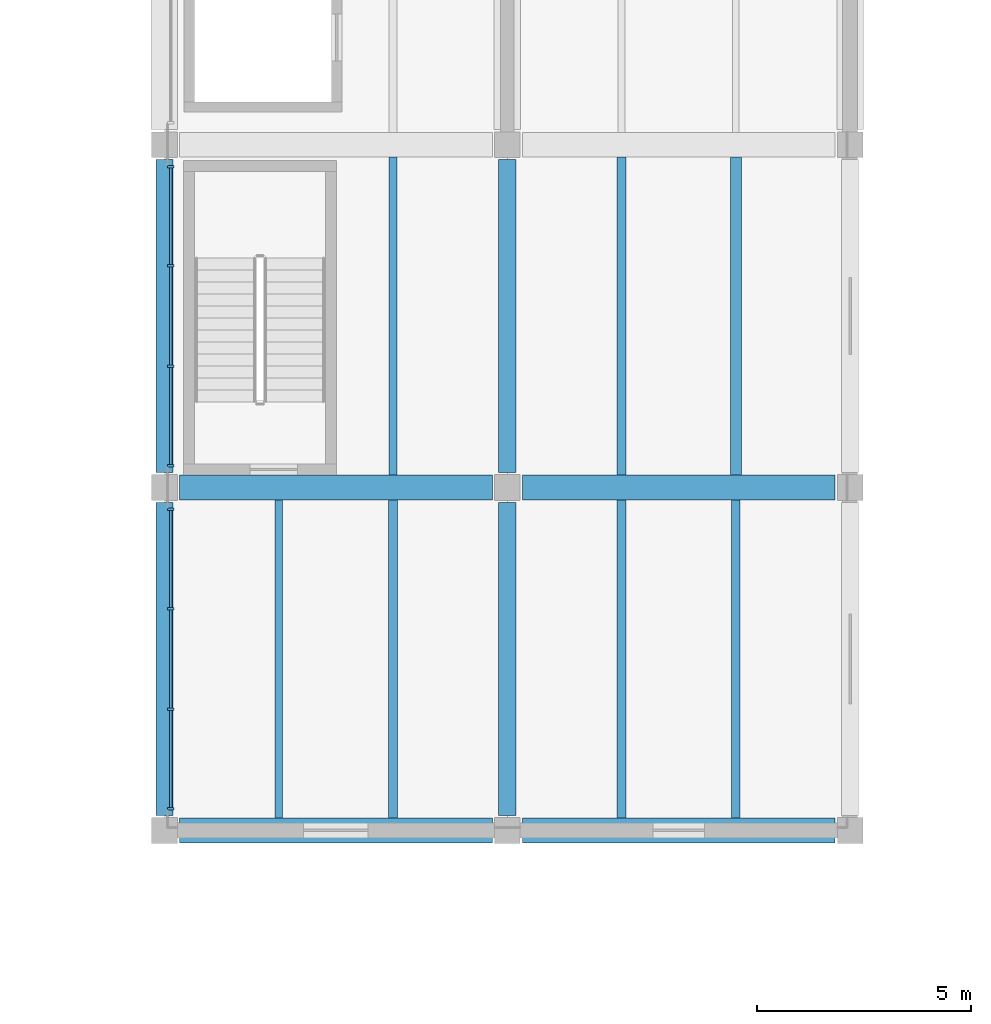
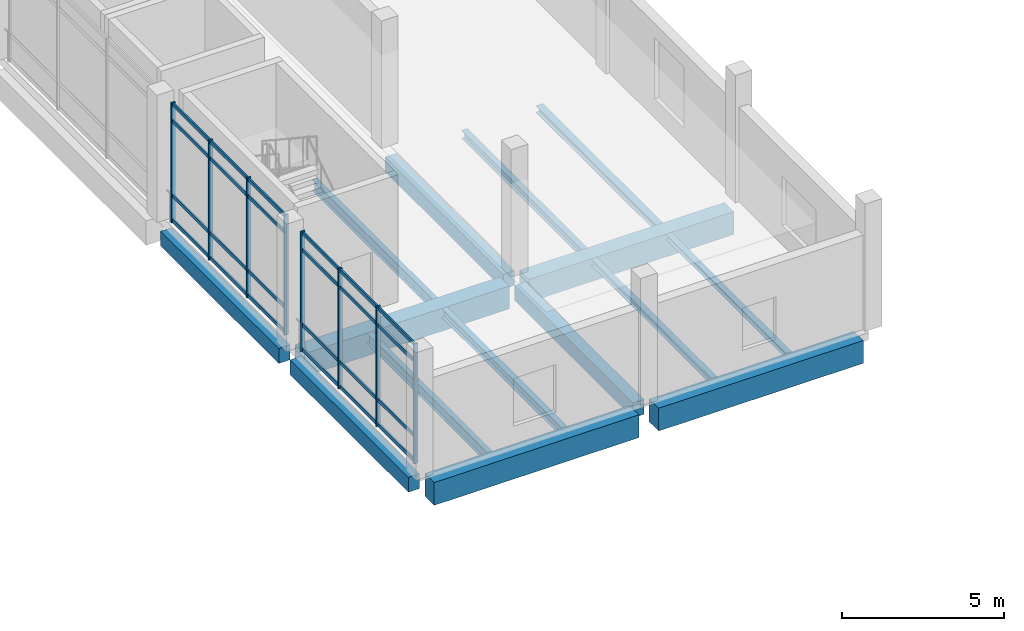
# One storey, part 8 of 47: 32 members, 15 beams, 2 elements without a shape of their own.
"""IFC4 building model written with IfcOpenShell, lengths in metres."""

from ifc_helpers import new_model, si_unit, direction, frame, origin, origin_2d, place, context, subcontext, project, spatial, rectangle, i_section, extrude, material, material_profile, profile_set, type_object, element, aggregate, save


model = new_model("IFC4")

# Units and contexts
model_context = context("Model", 3, precision=1e-05, world=origin(), true_north=direction((0.0, 1.0)))
body_context = subcontext(model_context, "Body", "Model", "MODEL_VIEW")
ifc_project = project(units=[si_unit("LENGTHUNIT", "METRE"), si_unit("AREAUNIT", "SQUARE_METRE"), si_unit("VOLUMEUNIT", "CUBIC_METRE"), si_unit("PLANEANGLEUNIT", "RADIAN"), si_unit("MASSUNIT", "GRAM", prefix="KILO")], contexts=[model_context])

# Site, building, storey
site_placement = place(None, origin())
site = spatial("IfcSite", under=ifc_project, at=site_placement, CompositionType="ELEMENT")
building_placement = place(site_placement, origin())
building = spatial("IfcBuilding", under=site, at=building_placement, Name="Pecanmere Concourse Central Library", CompositionType="ELEMENT")
storey_placement = place(building_placement, frame((0.0, 0.0, 15.300048828125)))
storey = spatial("IfcBuildingStorey", under=building, at=storey_placement, Name="L04", CompositionType="ELEMENT", Elevation=15.300048828125)

# Beams
ifc_material_1 = material(Name="Concrete C40/50", Category="concrete")
ifc_material_profile_1 = material_profile(ifc_material_1, rectangle(XDim=0.39990234375, YDim=0.56005859375, at=origin_2d()), Name="RC 400x560")
ifc_profile_set_1 = profile_set([ifc_material_profile_1], Name="Concrete C40/50")
beam_type_1 = type_object("IfcBeamType", Name="BM_400x560", PredefinedType="BEAM", material=ifc_profile_set_1)
for number, where, z_axis, x_axis, name in (
    (1, (112.0, 48.35009765625, -0.60009765625), (0.0, 1.0, 0.0), (-1.0, 0.0, 0.0), "Primary Girder Y L04-2289"),
    (2, (112.0, 56.35009765625, -0.60009765625), (0.0, 1.0, 0.0), (-1.0, 0.0, 0.0), "Primary Girder Y L04-2290"),
    (3, (120.0, 48.35009765625, -0.60009765625), (0.0, 1.0, 0.0), (-1.0, 0.0, 0.0), "Primary Girder Y L04-2296"),
    (4, (120.0, 56.35009765625, -0.60009765625), (0.0, 1.0, 0.0), (-1.0, 0.0, 0.0), "Primary Girder Y L04-2297"),
):
    element("IfcBeam", number, at=place(storey_placement, frame(where, z_axis=z_axis, x_axis=x_axis)), inside=storey, type_object=beam_type_1, Name=name, PredefinedType="BEAM", context=body_context, shape_type="SweptSolid", body=[
        extrude(rectangle(XDim=0.39990234375, YDim=0.56005859375, at=origin_2d()), origin(), (0.0, 0.0, 1.0), 7.2998046875),
    ])

# Curtain wall, members
ifc_material_2 = material(Name="Clear anodized aluminium alloy 6063-T6", Category="aluminium")
curtain_wall_type = type_object("IfcCurtainWallType", Name="CW_CLOISTER_GLAZ", PredefinedType="USERDEFINED", material=ifc_material_2)
curtain_wall_1_placement = place(storey_placement, origin())
curtain_wall_1 = element("IfcCurtainWall", 5, at=curtain_wall_1_placement, inside=storey, type_object=curtain_wall_type, Name="Unitised Curtain Wall CW-04 L04-139", ObjectType="UNITISED CURTAIN WALL", PredefinedType="USERDEFINED")
ifc_material_3 = material(Name="Clear anodized aluminium alloy 6063-T6", Category="aluminium")
ifc_material_profile_2 = material_profile(ifc_material_3, rectangle(XDim=0.06005859375, YDim=0.14990234375, at=origin_2d()), Name="AL 60x150")
ifc_profile_set_2 = profile_set([ifc_material_profile_2], Name="Clear anodized aluminium alloy 6063-T6")
member_type_1 = type_object("IfcMemberType", Name="CWM_150x60", PredefinedType="MULLION", material=ifc_profile_set_2)
member_1_placement = place(storey_placement, frame((112.14990234375, 55.489990234375, 0.0), z_axis=(0.0, 0.0, 1.0), x_axis=(0.0, -1.0, 0.0)))
member_1 = element("IfcMember", 6, at=member_1_placement, type_object=member_type_1, Name="CW-04 Mullion 1", PredefinedType="MULLION", context=body_context, shape_type="SweptSolid", body=[
    extrude(rectangle(XDim=0.06005859375, YDim=0.14990234375, at=origin_2d()), origin(), (0.0, 0.0, 1.0), 4.52001953125),
])
member_2_placement = place(storey_placement, frame((112.14990234375, 53.17333984375, 0.0), z_axis=(0.0, 0.0, 1.0), x_axis=(0.0, -1.0, 0.0)))
member_2 = element("IfcMember", 7, at=member_2_placement, type_object=member_type_1, Name="CW-04 Mullion 2", PredefinedType="MULLION", context=body_context, shape_type="SweptSolid", body=[
    extrude(rectangle(XDim=0.06005859375, YDim=0.14990234375, at=origin_2d()), origin(), (0.0, 0.0, 1.0), 4.52001953125),
])
member_3_placement = place(storey_placement, frame((112.14990234375, 50.82666015625, 0.0), z_axis=(0.0, 0.0, 1.0), x_axis=(0.0, -1.0, 0.0)))
member_3 = element("IfcMember", 8, at=member_3_placement, type_object=member_type_1, Name="CW-04 Mullion 3", PredefinedType="MULLION", context=body_context, shape_type="SweptSolid", body=[
    extrude(rectangle(XDim=0.06005859375, YDim=0.14990234375, at=origin_2d()), origin(), (0.0, 0.0, 1.0), 4.52001953125),
])
member_4_placement = place(storey_placement, frame((112.14990234375, 48.510009765625, 0.0), z_axis=(0.0, 0.0, 1.0), x_axis=(0.0, -1.0, 0.0)))
member_4 = element("IfcMember", 9, at=member_4_placement, type_object=member_type_1, Name="CW-04 Mullion 4", PredefinedType="MULLION", context=body_context, shape_type="SweptSolid", body=[
    extrude(rectangle(XDim=0.06005859375, YDim=0.14990234375, at=origin_2d()), origin(), (0.0, 0.0, 1.0), 4.52001953125),
])

curtain_wall_2_placement = place(storey_placement, origin())
curtain_wall_2 = element("IfcCurtainWall", 10, at=curtain_wall_2_placement, inside=storey, type_object=curtain_wall_type, Name="Unitised Curtain Wall CW-04 L04-141", ObjectType="UNITISED CURTAIN WALL", PredefinedType="USERDEFINED")
member_5_placement = place(storey_placement, frame((112.14990234375, 63.489990234375, 0.0), z_axis=(0.0, 0.0, 1.0), x_axis=(0.0, -1.0, 0.0)))
member_5 = element("IfcMember", 11, at=member_5_placement, type_object=member_type_1, Name="CW-04 Mullion 1", PredefinedType="MULLION", context=body_context, shape_type="SweptSolid", body=[
    extrude(rectangle(XDim=0.06005859375, YDim=0.14990234375, at=origin_2d()), origin(), (0.0, 0.0, 1.0), 4.52001953125),
])
member_6_placement = place(storey_placement, frame((112.14990234375, 61.17333984375, 0.0), z_axis=(0.0, 0.0, 1.0), x_axis=(0.0, -1.0, 0.0)))
member_6 = element("IfcMember", 12, at=member_6_placement, type_object=member_type_1, Name="CW-04 Mullion 2", PredefinedType="MULLION", context=body_context, shape_type="SweptSolid", body=[
    extrude(rectangle(XDim=0.06005859375, YDim=0.14990234375, at=origin_2d()), origin(), (0.0, 0.0, 1.0), 4.52001953125),
])
member_7_placement = place(storey_placement, frame((112.14990234375, 58.82666015625, 0.0), z_axis=(0.0, 0.0, 1.0), x_axis=(0.0, -1.0, 0.0)))
member_7 = element("IfcMember", 13, at=member_7_placement, type_object=member_type_1, Name="CW-04 Mullion 3", PredefinedType="MULLION", context=body_context, shape_type="SweptSolid", body=[
    extrude(rectangle(XDim=0.06005859375, YDim=0.14990234375, at=origin_2d()), origin(), (0.0, 0.0, 1.0), 4.52001953125),
])
member_8_placement = place(storey_placement, frame((112.14990234375, 56.510009765625, 0.0), z_axis=(0.0, 0.0, 1.0), x_axis=(0.0, -1.0, 0.0)))
member_8 = element("IfcMember", 14, at=member_8_placement, type_object=member_type_1, Name="CW-04 Mullion 4", PredefinedType="MULLION", context=body_context, shape_type="SweptSolid", body=[
    extrude(rectangle(XDim=0.06005859375, YDim=0.14990234375, at=origin_2d()), origin(), (0.0, 0.0, 1.0), 4.52001953125),
])

# Member
ifc_material_4 = material(Name="Clear anodized aluminium alloy 6063-T6", Category="aluminium")
ifc_material_profile_3 = material_profile(ifc_material_4, rectangle(XDim=0.054931640625, YDim=0.139892578125, at=origin_2d()), Name="AL 55x140")
ifc_profile_set_3 = profile_set([ifc_material_profile_3], Name="Clear anodized aluminium alloy 6063-T6")
member_type_2 = type_object("IfcMemberType", Name="CWT_140x55", PredefinedType="USERDEFINED", material=ifc_profile_set_3)
member_9_placement = place(storey_placement, frame((112.14990234375, 55.4599609375, 0.070068359375), z_axis=(0.0, -1.0, 0.0), x_axis=(1.0, 0.0, 0.0)))
member_9 = element("IfcMember", 15, at=member_9_placement, type_object=member_type_2, Name="CW-04 Transom 1.1", ObjectType="TRANSOM", PredefinedType="USERDEFINED", context=body_context, shape_type="SweptSolid", body=[
    extrude(rectangle(XDim=0.054931640625, YDim=0.139892578125, at=origin_2d()), origin(), (0.0, 0.0, 1.0), 2.256591796875),
])

member_10_placement = place(storey_placement, frame((112.14990234375, 55.4599609375, 1.0), z_axis=(0.0, -1.0, 0.0), x_axis=(1.0, 0.0, 0.0)))
member_10 = element("IfcMember", 16, at=member_10_placement, type_object=member_type_2, Name="CW-04 Transom 1.2", ObjectType="TRANSOM", PredefinedType="USERDEFINED", context=body_context, shape_type="SweptSolid", body=[
    extrude(rectangle(XDim=0.054931640625, YDim=0.139892578125, at=origin_2d()), origin(), (0.0, 0.0, 1.0), 2.256591796875),
])

member_11_placement = place(storey_placement, frame((112.14990234375, 55.4599609375, 3.820068359375), z_axis=(0.0, -1.0, 0.0), x_axis=(1.0, 0.0, 0.0)))
member_11 = element("IfcMember", 17, at=member_11_placement, type_object=member_type_2, Name="CW-04 Transom 1.3", ObjectType="TRANSOM", PredefinedType="USERDEFINED", context=body_context, shape_type="SweptSolid", body=[
    extrude(rectangle(XDim=0.054931640625, YDim=0.139892578125, at=origin_2d()), origin(), (0.0, 0.0, 1.0), 2.256591796875),
])

member_12_placement = place(storey_placement, frame((112.14990234375, 55.4599609375, 4.449951171875), z_axis=(0.0, -1.0, 0.0), x_axis=(1.0, 0.0, 0.0)))
member_12 = element("IfcMember", 18, at=member_12_placement, type_object=member_type_2, Name="CW-04 Transom 1.4", ObjectType="TRANSOM", PredefinedType="USERDEFINED", context=body_context, shape_type="SweptSolid", body=[
    extrude(rectangle(XDim=0.054931640625, YDim=0.139892578125, at=origin_2d()), origin(), (0.0, 0.0, 1.0), 2.256591796875),
])

member_13_placement = place(storey_placement, frame((112.14990234375, 53.143310546875, 0.070068359375), z_axis=(0.0, -1.0, 0.0), x_axis=(1.0, 0.0, 0.0)))
member_13 = element("IfcMember", 19, at=member_13_placement, type_object=member_type_2, Name="CW-04 Transom 2.1", ObjectType="TRANSOM", PredefinedType="USERDEFINED", context=body_context, shape_type="SweptSolid", body=[
    extrude(rectangle(XDim=0.054931640625, YDim=0.139892578125, at=origin_2d()), origin(), (0.0, 0.0, 1.0), 2.28662109375),
])

member_14_placement = place(storey_placement, frame((112.14990234375, 53.143310546875, 1.0), z_axis=(0.0, -1.0, 0.0), x_axis=(1.0, 0.0, 0.0)))
member_14 = element("IfcMember", 20, at=member_14_placement, type_object=member_type_2, Name="CW-04 Transom 2.2", ObjectType="TRANSOM", PredefinedType="USERDEFINED", context=body_context, shape_type="SweptSolid", body=[
    extrude(rectangle(XDim=0.054931640625, YDim=0.139892578125, at=origin_2d()), origin(), (0.0, 0.0, 1.0), 2.28662109375),
])

member_15_placement = place(storey_placement, frame((112.14990234375, 53.143310546875, 3.820068359375), z_axis=(0.0, -1.0, 0.0), x_axis=(1.0, 0.0, 0.0)))
member_15 = element("IfcMember", 21, at=member_15_placement, type_object=member_type_2, Name="CW-04 Transom 2.3", ObjectType="TRANSOM", PredefinedType="USERDEFINED", context=body_context, shape_type="SweptSolid", body=[
    extrude(rectangle(XDim=0.054931640625, YDim=0.139892578125, at=origin_2d()), origin(), (0.0, 0.0, 1.0), 2.28662109375),
])

member_16_placement = place(storey_placement, frame((112.14990234375, 53.143310546875, 4.449951171875), z_axis=(0.0, -1.0, 0.0), x_axis=(1.0, 0.0, 0.0)))
member_16 = element("IfcMember", 22, at=member_16_placement, type_object=member_type_2, Name="CW-04 Transom 2.4", ObjectType="TRANSOM", PredefinedType="USERDEFINED", context=body_context, shape_type="SweptSolid", body=[
    extrude(rectangle(XDim=0.054931640625, YDim=0.139892578125, at=origin_2d()), origin(), (0.0, 0.0, 1.0), 2.28662109375),
])

member_17_placement = place(storey_placement, frame((112.14990234375, 50.796630859375, 0.070068359375), z_axis=(0.0, -1.0, 0.0), x_axis=(1.0, 0.0, 0.0)))
member_17 = element("IfcMember", 23, at=member_17_placement, type_object=member_type_2, Name="CW-04 Transom 3.1", ObjectType="TRANSOM", PredefinedType="USERDEFINED", context=body_context, shape_type="SweptSolid", body=[
    extrude(rectangle(XDim=0.054931640625, YDim=0.139892578125, at=origin_2d()), origin(), (0.0, 0.0, 1.0), 2.256591796875),
])

member_18_placement = place(storey_placement, frame((112.14990234375, 50.796630859375, 1.0), z_axis=(0.0, -1.0, 0.0), x_axis=(1.0, 0.0, 0.0)))
member_18 = element("IfcMember", 24, at=member_18_placement, type_object=member_type_2, Name="CW-04 Transom 3.2", ObjectType="TRANSOM", PredefinedType="USERDEFINED", context=body_context, shape_type="SweptSolid", body=[
    extrude(rectangle(XDim=0.054931640625, YDim=0.139892578125, at=origin_2d()), origin(), (0.0, 0.0, 1.0), 2.256591796875),
])

member_19_placement = place(storey_placement, frame((112.14990234375, 50.796630859375, 3.820068359375), z_axis=(0.0, -1.0, 0.0), x_axis=(1.0, 0.0, 0.0)))
member_19 = element("IfcMember", 25, at=member_19_placement, type_object=member_type_2, Name="CW-04 Transom 3.3", ObjectType="TRANSOM", PredefinedType="USERDEFINED", context=body_context, shape_type="SweptSolid", body=[
    extrude(rectangle(XDim=0.054931640625, YDim=0.139892578125, at=origin_2d()), origin(), (0.0, 0.0, 1.0), 2.256591796875),
])

member_20_placement = place(storey_placement, frame((112.14990234375, 50.796630859375, 4.449951171875), z_axis=(0.0, -1.0, 0.0), x_axis=(1.0, 0.0, 0.0)))
member_20 = element("IfcMember", 26, at=member_20_placement, type_object=member_type_2, Name="CW-04 Transom 3.4", ObjectType="TRANSOM", PredefinedType="USERDEFINED", context=body_context, shape_type="SweptSolid", body=[
    extrude(rectangle(XDim=0.054931640625, YDim=0.139892578125, at=origin_2d()), origin(), (0.0, 0.0, 1.0), 2.256591796875),
])

aggregate(curtain_wall_1, [member_1, member_2, member_3, member_4, member_9, member_10, member_11, member_12, member_13, member_14, member_15, member_16, member_17, member_18, member_19, member_20])

member_21_placement = place(storey_placement, frame((112.14990234375, 63.4599609375, 0.070068359375), z_axis=(0.0, -1.0, 0.0), x_axis=(1.0, 0.0, 0.0)))
member_21 = element("IfcMember", 27, at=member_21_placement, type_object=member_type_2, Name="CW-04 Transom 1.1", ObjectType="TRANSOM", PredefinedType="USERDEFINED", context=body_context, shape_type="SweptSolid", body=[
    extrude(rectangle(XDim=0.054931640625, YDim=0.139892578125, at=origin_2d()), origin(), (0.0, 0.0, 1.0), 2.256591796875),
])

member_22_placement = place(storey_placement, frame((112.14990234375, 63.4599609375, 1.0), z_axis=(0.0, -1.0, 0.0), x_axis=(1.0, 0.0, 0.0)))
member_22 = element("IfcMember", 28, at=member_22_placement, type_object=member_type_2, Name="CW-04 Transom 1.2", ObjectType="TRANSOM", PredefinedType="USERDEFINED", context=body_context, shape_type="SweptSolid", body=[
    extrude(rectangle(XDim=0.054931640625, YDim=0.139892578125, at=origin_2d()), origin(), (0.0, 0.0, 1.0), 2.256591796875),
])

member_23_placement = place(storey_placement, frame((112.14990234375, 63.4599609375, 3.820068359375), z_axis=(0.0, -1.0, 0.0), x_axis=(1.0, 0.0, 0.0)))
member_23 = element("IfcMember", 29, at=member_23_placement, type_object=member_type_2, Name="CW-04 Transom 1.3", ObjectType="TRANSOM", PredefinedType="USERDEFINED", context=body_context, shape_type="SweptSolid", body=[
    extrude(rectangle(XDim=0.054931640625, YDim=0.139892578125, at=origin_2d()), origin(), (0.0, 0.0, 1.0), 2.256591796875),
])

member_24_placement = place(storey_placement, frame((112.14990234375, 63.4599609375, 4.449951171875), z_axis=(0.0, -1.0, 0.0), x_axis=(1.0, 0.0, 0.0)))
member_24 = element("IfcMember", 30, at=member_24_placement, type_object=member_type_2, Name="CW-04 Transom 1.4", ObjectType="TRANSOM", PredefinedType="USERDEFINED", context=body_context, shape_type="SweptSolid", body=[
    extrude(rectangle(XDim=0.054931640625, YDim=0.139892578125, at=origin_2d()), origin(), (0.0, 0.0, 1.0), 2.256591796875),
])

member_25_placement = place(storey_placement, frame((112.14990234375, 61.143310546875, 0.070068359375), z_axis=(0.0, -1.0, 0.0), x_axis=(1.0, 0.0, 0.0)))
member_25 = element("IfcMember", 31, at=member_25_placement, type_object=member_type_2, Name="CW-04 Transom 2.1", ObjectType="TRANSOM", PredefinedType="USERDEFINED", context=body_context, shape_type="SweptSolid", body=[
    extrude(rectangle(XDim=0.054931640625, YDim=0.139892578125, at=origin_2d()), origin(), (0.0, 0.0, 1.0), 2.28662109375),
])

member_26_placement = place(storey_placement, frame((112.14990234375, 61.143310546875, 1.0), z_axis=(0.0, -1.0, 0.0), x_axis=(1.0, 0.0, 0.0)))
member_26 = element("IfcMember", 32, at=member_26_placement, type_object=member_type_2, Name="CW-04 Transom 2.2", ObjectType="TRANSOM", PredefinedType="USERDEFINED", context=body_context, shape_type="SweptSolid", body=[
    extrude(rectangle(XDim=0.054931640625, YDim=0.139892578125, at=origin_2d()), origin(), (0.0, 0.0, 1.0), 2.28662109375),
])

member_27_placement = place(storey_placement, frame((112.14990234375, 61.143310546875, 3.820068359375), z_axis=(0.0, -1.0, 0.0), x_axis=(1.0, 0.0, 0.0)))
member_27 = element("IfcMember", 33, at=member_27_placement, type_object=member_type_2, Name="CW-04 Transom 2.3", ObjectType="TRANSOM", PredefinedType="USERDEFINED", context=body_context, shape_type="SweptSolid", body=[
    extrude(rectangle(XDim=0.054931640625, YDim=0.139892578125, at=origin_2d()), origin(), (0.0, 0.0, 1.0), 2.28662109375),
])

member_28_placement = place(storey_placement, frame((112.14990234375, 61.143310546875, 4.449951171875), z_axis=(0.0, -1.0, 0.0), x_axis=(1.0, 0.0, 0.0)))
member_28 = element("IfcMember", 34, at=member_28_placement, type_object=member_type_2, Name="CW-04 Transom 2.4", ObjectType="TRANSOM", PredefinedType="USERDEFINED", context=body_context, shape_type="SweptSolid", body=[
    extrude(rectangle(XDim=0.054931640625, YDim=0.139892578125, at=origin_2d()), origin(), (0.0, 0.0, 1.0), 2.28662109375),
])

member_29_placement = place(storey_placement, frame((112.14990234375, 58.796630859375, 0.070068359375), z_axis=(0.0, -1.0, 0.0), x_axis=(1.0, 0.0, 0.0)))
member_29 = element("IfcMember", 35, at=member_29_placement, type_object=member_type_2, Name="CW-04 Transom 3.1", ObjectType="TRANSOM", PredefinedType="USERDEFINED", context=body_context, shape_type="SweptSolid", body=[
    extrude(rectangle(XDim=0.054931640625, YDim=0.139892578125, at=origin_2d()), origin(), (0.0, 0.0, 1.0), 2.256591796875),
])

member_30_placement = place(storey_placement, frame((112.14990234375, 58.796630859375, 1.0), z_axis=(0.0, -1.0, 0.0), x_axis=(1.0, 0.0, 0.0)))
member_30 = element("IfcMember", 36, at=member_30_placement, type_object=member_type_2, Name="CW-04 Transom 3.2", ObjectType="TRANSOM", PredefinedType="USERDEFINED", context=body_context, shape_type="SweptSolid", body=[
    extrude(rectangle(XDim=0.054931640625, YDim=0.139892578125, at=origin_2d()), origin(), (0.0, 0.0, 1.0), 2.256591796875),
])

member_31_placement = place(storey_placement, frame((112.14990234375, 58.796630859375, 3.820068359375), z_axis=(0.0, -1.0, 0.0), x_axis=(1.0, 0.0, 0.0)))
member_31 = element("IfcMember", 37, at=member_31_placement, type_object=member_type_2, Name="CW-04 Transom 3.3", ObjectType="TRANSOM", PredefinedType="USERDEFINED", context=body_context, shape_type="SweptSolid", body=[
    extrude(rectangle(XDim=0.054931640625, YDim=0.139892578125, at=origin_2d()), origin(), (0.0, 0.0, 1.0), 2.256591796875),
])

member_32_placement = place(storey_placement, frame((112.14990234375, 58.796630859375, 4.449951171875), z_axis=(0.0, -1.0, 0.0), x_axis=(1.0, 0.0, 0.0)))
member_32 = element("IfcMember", 38, at=member_32_placement, type_object=member_type_2, Name="CW-04 Transom 3.4", ObjectType="TRANSOM", PredefinedType="USERDEFINED", context=body_context, shape_type="SweptSolid", body=[
    extrude(rectangle(XDim=0.054931640625, YDim=0.139892578125, at=origin_2d()), origin(), (0.0, 0.0, 1.0), 2.256591796875),
])

aggregate(curtain_wall_2, [member_5, member_6, member_7, member_8, member_21, member_22, member_23, member_24, member_25, member_26, member_27, member_28, member_29, member_30, member_31, member_32])

# Beams
ifc_material_5 = material(Name="Concrete C40/50", Category="concrete")
ifc_material_profile_4 = material_profile(ifc_material_5, rectangle(XDim=0.580078125, YDim=0.860107421875, at=origin_2d()), Name="RC 580x860")
ifc_profile_set_4 = profile_set([ifc_material_profile_4], Name="Concrete C40/50")
beam_type_2 = type_object("IfcBeamType", Name="GRD_580x860", PredefinedType="USERDEFINED", material=ifc_profile_set_4)
for number, where, z_axis, x_axis, name in (
    (39, (112.35009765625, 48.0, -0.75), (1.0, 0.0, 0.0), (0.0, 1.0, 0.0), "Primary Girder X L04-2161"),
    (40, (120.35009765625, 48.0, -0.75), (1.0, 0.0, 0.0), (0.0, 1.0, 0.0), "Primary Girder X L04-2162"),
    (41, (112.35009765625, 56.0, -0.75), (1.0, 0.0, 0.0), (0.0, 1.0, 0.0), "Primary Girder X L04-2165"),
    (42, (120.35009765625, 56.0, -0.75), (1.0, 0.0, 0.0), (0.0, 1.0, 0.0), "Primary Girder X L04-2166"),
):
    element("IfcBeam", number, at=place(storey_placement, frame(where, z_axis=z_axis, x_axis=x_axis)), inside=storey, type_object=beam_type_2, Name=name, ObjectType="GIRDER", PredefinedType="USERDEFINED", context=body_context, shape_type="SweptSolid", body=[
        extrude(rectangle(XDim=0.580078125, YDim=0.860107421875, at=origin_2d()), origin(), (0.0, 0.0, 1.0), 7.2998046875),
    ])
ifc_material_6 = material(Name="Structural steel ASTM A992 Grade 50", Category="steel")
ifc_material_profile_5 = material_profile(ifc_material_6, i_section(OverallWidth=0.2041015625, OverallDepth=0.2060546875, WebThickness=0.0078125, FlangeThickness=0.0126953125, at=origin_2d()), Name="W200x52")
ifc_profile_set_5 = profile_set([ifc_material_profile_5], Name="Structural steel ASTM A992 Grade 50")
beam_type_3 = type_object("IfcBeamType", Name="SBM_W200x52", PredefinedType="JOIST", material=ifc_profile_set_5)
beam_1_placement = place(storey_placement, frame((125.333251953125, 48.2900390625, -0.423095703125), z_axis=(0.0, 1.0, 0.0), x_axis=(-1.0, 0.0, 0.0)))
element("IfcBeam", 43, at=beam_1_placement, inside=storey, type_object=beam_type_3, Name="Secondary Floor Joist L04-2413", PredefinedType="JOIST", context=body_context, shape_type="SweptSolid", body=[
    extrude(i_section(OverallWidth=0.2041015625, OverallDepth=0.2060546875, WebThickness=0.0078125, FlangeThickness=0.0126953125, at=origin_2d()), origin(), (0.0, 0.0, 1.0), 7.419921875),
])
ifc_material_7 = material(Name="Structural steel ASTM A992 Grade 50", Category="steel")
ifc_material_profile_6 = material_profile(ifc_material_7, i_section(OverallWidth=0.201904296875, OverallDepth=0.2470703125, WebThickness=0.00732421875, FlangeThickness=0.010986328125, at=origin_2d()), Name="W250x49.1")
ifc_profile_set_6 = profile_set([ifc_material_profile_6], Name="Structural steel ASTM A992 Grade 50")
beam_type_4 = type_object("IfcBeamType", Name="SBM_W250x49", PredefinedType="JOIST", material=ifc_profile_set_6)
beam_2_placement = place(storey_placement, frame((122.666748046875, 48.2900390625, -0.443603515625), z_axis=(0.0, 1.0, 0.0), x_axis=(-1.0, 0.0, 0.0)))
element("IfcBeam", 44, at=beam_2_placement, inside=storey, type_object=beam_type_4, Name="Secondary Floor Joist L04-2412", PredefinedType="JOIST", context=body_context, shape_type="SweptSolid", body=[
    extrude(i_section(OverallWidth=0.201904296875, OverallDepth=0.2470703125, WebThickness=0.00732421875, FlangeThickness=0.010986328125, at=origin_2d()), origin(), (0.0, 0.0, 1.0), 7.419921875),
])
ifc_material_8 = material(Name="Structural steel ASTM A992 Grade 50", Category="steel")
ifc_material_profile_7 = material_profile(ifc_material_8, i_section(OverallWidth=0.25390625, OverallDepth=0.2529296875, WebThickness=0.008544921875, FlangeThickness=0.01416015625, at=origin_2d()), Name="W250x73")
ifc_profile_set_7 = profile_set([ifc_material_profile_7], Name="Structural steel ASTM A992 Grade 50")
beam_type_5 = type_object("IfcBeamType", Name="SBM_W250x73", PredefinedType="BEAM", material=ifc_profile_set_7)
beam_3_placement = place(storey_placement, frame((125.333251953125, 56.2900390625, -0.446533203125), z_axis=(0.0, 1.0, 0.0), x_axis=(-1.0, 0.0, 0.0)))
element("IfcBeam", 45, at=beam_3_placement, inside=storey, type_object=beam_type_5, Name="Secondary Floor Joist L04-2415", PredefinedType="BEAM", context=body_context, shape_type="SweptSolid", body=[
    extrude(i_section(OverallWidth=0.25390625, OverallDepth=0.2529296875, WebThickness=0.008544921875, FlangeThickness=0.01416015625, at=origin_2d()), origin(), (0.0, 0.0, 1.0), 7.419921875),
])
ifc_material_9 = material(Name="Structural steel ASTM A992 Grade 50", Category="steel")
ifc_material_profile_8 = material_profile(ifc_material_9, i_section(OverallWidth=0.205078125, OverallDepth=0.31005859375, WebThickness=0.009521484375, FlangeThickness=0.016357421875, at=origin_2d()), Name="W310x74")
ifc_profile_set_8 = profile_set([ifc_material_profile_8], Name="Structural steel ASTM A992 Grade 50")
beam_type_6 = type_object("IfcBeamType", Name="SBM_W310x74", PredefinedType="BEAM", material=ifc_profile_set_8)
beam_4_placement = place(storey_placement, frame((122.666748046875, 56.2900390625, -0.47509765625), z_axis=(0.0, 1.0, 0.0), x_axis=(-1.0, 0.0, 0.0)))
element("IfcBeam", 46, at=beam_4_placement, inside=storey, type_object=beam_type_6, Name="Secondary Floor Joist L04-2414", PredefinedType="BEAM", context=body_context, shape_type="SweptSolid", body=[
    extrude(i_section(OverallWidth=0.205078125, OverallDepth=0.31005859375, WebThickness=0.009521484375, FlangeThickness=0.016357421875, at=origin_2d()), origin(), (0.0, 0.0, 1.0), 7.419921875),
])
ifc_material_10 = material(Name="Structural steel ASTM A992 Grade 50", Category="steel")
ifc_material_profile_9 = material_profile(ifc_material_10, i_section(OverallWidth=0.202880859375, OverallDepth=0.346923828125, WebThickness=0.0078125, FlangeThickness=0.013427734375, at=origin_2d()), Name="W360x64")
ifc_profile_set_9 = profile_set([ifc_material_profile_9], Name="Structural steel ASTM A992 Grade 50")
beam_type_7 = type_object("IfcBeamType", Name="SBM_W360x64", PredefinedType="JOIST", material=ifc_profile_set_9)
beam_5_placement = place(storey_placement, frame((117.333251953125, 48.2900390625, -0.49365234375), z_axis=(0.0, 1.0, 0.0), x_axis=(-1.0, 0.0, 0.0)))
element("IfcBeam", 47, at=beam_5_placement, inside=storey, type_object=beam_type_7, Name="Secondary Floor Joist L04-2401", PredefinedType="JOIST", context=body_context, shape_type="SweptSolid", body=[
    extrude(i_section(OverallWidth=0.202880859375, OverallDepth=0.346923828125, WebThickness=0.0078125, FlangeThickness=0.013427734375, at=origin_2d()), origin(), (0.0, 0.0, 1.0), 7.419921875),
])
ifc_material_11 = material(Name="Structural steel ASTM A992 Grade 50", Category="steel")
ifc_material_profile_10 = material_profile(ifc_material_11, i_section(OverallWidth=0.177978515625, OverallDepth=0.406982421875, WebThickness=0.0078125, FlangeThickness=0.0126953125, at=origin_2d()), Name="W410x60")
ifc_profile_set_10 = profile_set([ifc_material_profile_10], Name="Structural steel ASTM A992 Grade 50")
beam_type_8 = type_object("IfcBeamType", Name="SBM_W410x60", PredefinedType="JOIST", material=ifc_profile_set_10)
beam_6_placement = place(storey_placement, frame((114.666748046875, 48.2900390625, -0.5234375), z_axis=(0.0, 1.0, 0.0), x_axis=(-1.0, 0.0, 0.0)))
element("IfcBeam", 48, at=beam_6_placement, inside=storey, type_object=beam_type_8, Name="Secondary Floor Joist L04-2400", PredefinedType="JOIST", context=body_context, shape_type="SweptSolid", body=[
    extrude(i_section(OverallWidth=0.177978515625, OverallDepth=0.406982421875, WebThickness=0.0078125, FlangeThickness=0.0126953125, at=origin_2d()), origin(), (0.0, 0.0, 1.0), 7.419921875),
])
ifc_material_12 = material(Name="Structural steel ASTM A992 Grade 50", Category="steel")
ifc_material_profile_11 = material_profile(ifc_material_12, i_section(OverallWidth=0.180908203125, OverallDepth=0.4169921875, WebThickness=0.010986328125, FlangeThickness=0.018310546875, at=origin_2d()), Name="W410x85")
ifc_profile_set_11 = profile_set([ifc_material_profile_11], Name="Structural steel ASTM A992 Grade 50")
beam_type_9 = type_object("IfcBeamType", Name="SBM_W410x85", PredefinedType="BEAM", material=ifc_profile_set_11)
beam_7_placement = place(storey_placement, frame((117.333251953125, 56.2900390625, -0.528564453125), z_axis=(0.0, 1.0, 0.0), x_axis=(-1.0, 0.0, 0.0)))
element("IfcBeam", 49, at=beam_7_placement, inside=storey, type_object=beam_type_9, Name="Secondary Floor Joist L04-2402", PredefinedType="BEAM", context=body_context, shape_type="SweptSolid", body=[
    extrude(i_section(OverallWidth=0.180908203125, OverallDepth=0.4169921875, WebThickness=0.010986328125, FlangeThickness=0.018310546875, at=origin_2d()), origin(), (0.0, 0.0, 1.0), 7.419921875),
])

save(model, "model.ifc")
